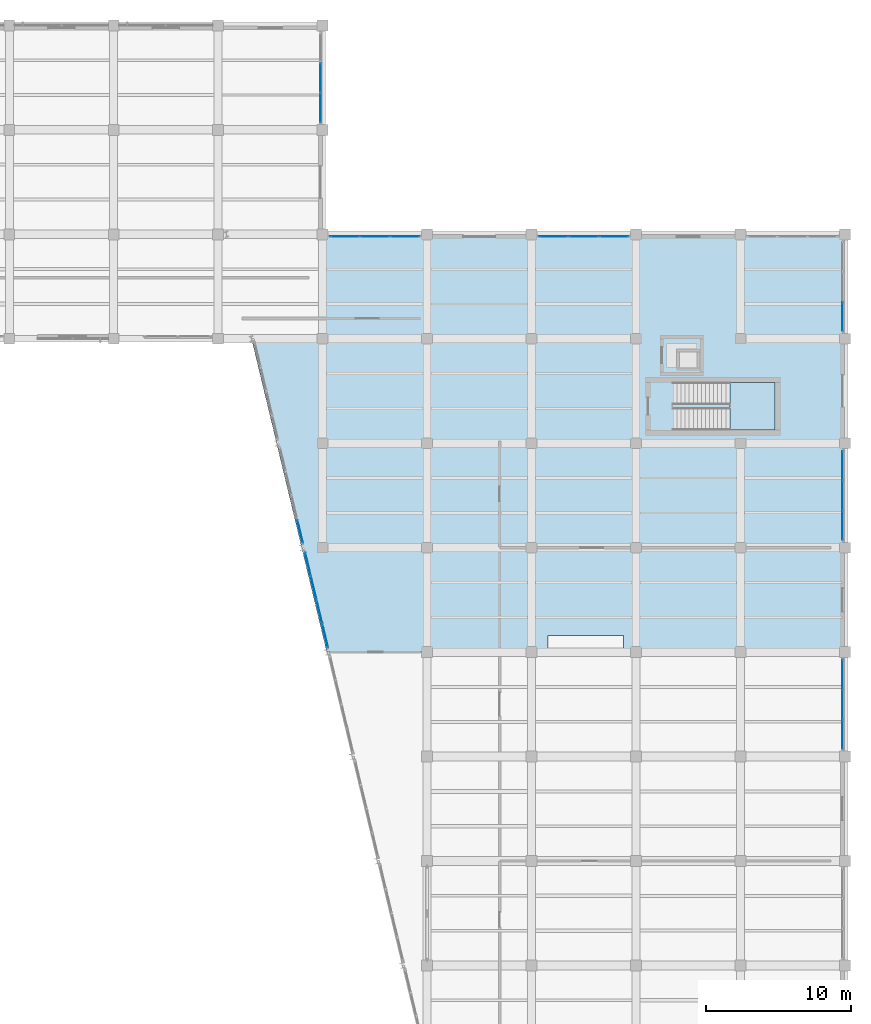
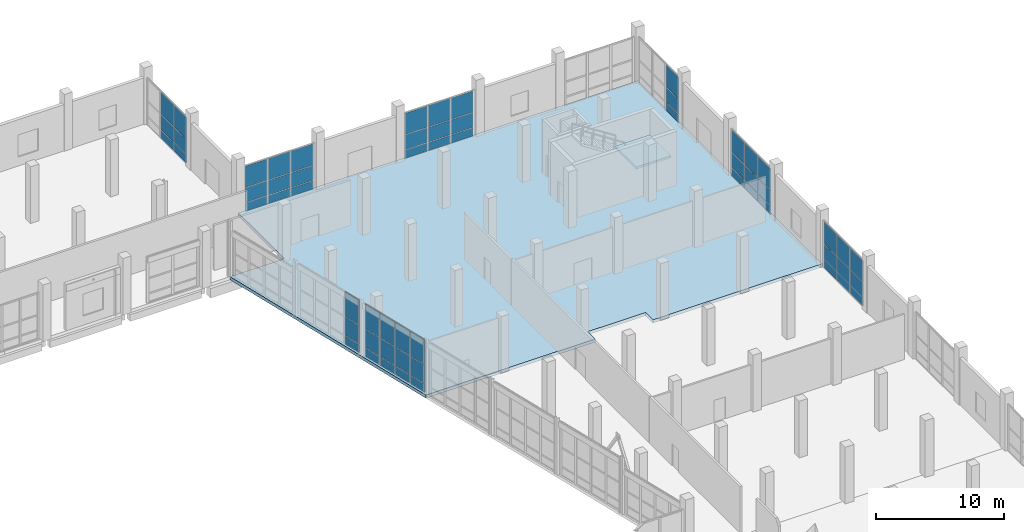
# One storey, part 94 of 137: 60 plates, 2 slabs, 9 elements without a shape of their own.
"""IFC4 building model written with IfcOpenShell, lengths in metres."""

from ifc_helpers import new_model, si_unit, direction, frame, origin, origin_2d, place, context, subcontext, project, spatial, polyline, rectangle, outline, extrude, material, layer, layer_set, type_object, element, aggregate, save


model = new_model("IFC4")

# Units and contexts
model_context = context("Model", 3, precision=1e-05, world=origin(), true_north=direction((0.0, 1.0)))
body_context = subcontext(model_context, "Body", "Model", "MODEL_VIEW")
ifc_project = project(units=[si_unit("LENGTHUNIT", "METRE"), si_unit("AREAUNIT", "SQUARE_METRE"), si_unit("VOLUMEUNIT", "CUBIC_METRE"), si_unit("PLANEANGLEUNIT", "RADIAN"), si_unit("MASSUNIT", "GRAM", prefix="KILO")], contexts=[model_context])

# Site, building, storey
site_placement = place(None, origin())
site = spatial("IfcSite", under=ifc_project, at=site_placement, CompositionType="ELEMENT")
building_placement = place(site_placement, origin())
building = spatial("IfcBuilding", under=site, at=building_placement, Name="Kalmorath City Hall", CompositionType="ELEMENT")
storey_placement = place(building_placement, origin())
storey = spatial("IfcBuildingStorey", under=building, at=storey_placement, Name="L00", CompositionType="ELEMENT", Elevation=0.0)

# Slab
ifc_material_1 = material(Name="Concrete C40/50", Category="concrete")
ifc_layer_1 = layer(ifc_material_1, 0.300048828125)
ifc_layer_set_1 = layer_set([ifc_layer_1], Name="Concrete C40/50")
slab_type_1 = type_object("IfcSlabType", Name="Concrete ground floor slab 300", PredefinedType="FLOOR", material=ifc_layer_set_1)
slab_1_placement = place(storey_placement, frame((0.0, 0.0, -0.300048828125)))
element("IfcSlab", 1, at=slab_1_placement, inside=storey, type_object=slab_type_1, Name="L00 Members Library Pavilion slab FS1-2", PredefinedType="FLOOR", context=body_context, shape_type="SweptSolid", body=[
    extrude(outline(polyline([(129.60009765625, 93.60009765625), (129.60009765625, 100.800048828125), (165.60009765625, 100.800048828125), (165.60009765625, 72.0), (150.3427734375, 72.0), (150.3427734375, 73.14990234375), (145.142822265625, 73.14990234375), (145.142822265625, 72.0), (129.885498046875, 72.0), (124.69970703125, 93.60009765625), (129.60009765625, 93.60009765625)])), origin(), (0.0, 0.0, 1.0), 0.300048828125),
])

# Stair, slab
ifc_material_2 = material(Name="Concrete C40/50", Category="concrete")
stair_type = type_object("IfcStairType", Name="Dogleg concrete exit stair 30R x 180mm W1550", PredefinedType="HALF_TURN_STAIR", material=ifc_material_2)
stair_placement = place(storey_placement, origin())
stair = element("IfcStair", 2, at=stair_placement, inside=storey, type_object=stair_type, Name="L00 Protected exit stair ST-6", PredefinedType="HALF_TURN_STAIR")
ifc_material_3 = material(Name="Concrete C40/50", Category="concrete")
ifc_layer_2 = layer(ifc_material_3, 0.199951171875)
ifc_layer_set_2 = layer_set([ifc_layer_2], Name="Concrete C40/50")
slab_type_2 = type_object("IfcSlabType", Name="Concrete stair half-landing slab 200", PredefinedType="LANDING", material=ifc_layer_set_2)
slab_2_placement = place(storey_placement, frame((0.0, 0.0, 2.5)))
slab_2 = element("IfcSlab", 3, at=slab_2_placement, type_object=slab_type_2, Name="ST-6 landing 1", PredefinedType="LANDING", context=body_context, shape_type="SweptSolid", body=[
    extrude(outline(polyline([(157.669921875, 87.300048828125), (160.800048828125, 87.300048828125), (160.800048828125, 90.60009765625), (157.669921875, 90.60009765625), (157.669921875, 87.300048828125)])), origin(), (0.0, 0.0, 1.0), 0.199951171875),
])
aggregate(stair, [slab_2])

# Curtain wall, plates
ifc_material_4 = material(Name="Anodised aluminium and laminated glass", Category="aluminium")
curtain_wall_type_1 = type_object("IfcCurtainWallType", Name="Unitised hurricane curtain wall 6270x4461 M1850", PredefinedType="NOTDEFINED", material=ifc_material_4)
curtain_wall_1_placement = place(storey_placement, origin())
curtain_wall_1 = element("IfcCurtainWall", 4, at=curtain_wall_1_placement, inside=storey, type_object=curtain_wall_type_1, Name="L00 curtain wall CW-63X45M18 #1", PredefinedType="NOTDEFINED")
ifc_material_5 = material(Name="Hurricane laminated low-E glass", Category="glass")
ifc_layer_3 = layer(ifc_material_5, 0.035888671875)
ifc_layer_set_3 = layer_set([ifc_layer_3], Name="Hurricane laminated low-E glass")
plate_type = type_object("IfcPlateType", Name="Library acoustic low-E glazed panel 36", PredefinedType="CURTAIN_PANEL", material=ifc_layer_set_3)
plate_1_placement = place(storey_placement, frame((129.43994140625, 111.60009765625, 0.06005859375), z_axis=(0.0, 0.0, 1.0), x_axis=(0.0, -1.0, 0.0)))
plate_1 = element("IfcPlate", 5, at=plate_1_placement, type_object=plate_type, Name="CW-63X45M18 panel 2.1", PredefinedType="CURTAIN_PANEL", context=body_context, shape_type="SweptSolid", body=[
    extrude(rectangle(XDim=2.014892578125, YDim=0.035888671875, at=origin_2d()), origin(), (0.0, 0.0, 1.0), 0.760009765625),
])
plate_2_placement = place(storey_placement, frame((129.43994140625, 111.60009765625, 0.8798828125), z_axis=(0.0, 0.0, 1.0), x_axis=(0.0, -1.0, 0.0)))
plate_2 = element("IfcPlate", 6, at=plate_2_placement, type_object=plate_type, Name="CW-63X45M18 panel 2.2", PredefinedType="CURTAIN_PANEL", context=body_context, shape_type="SweptSolid", body=[
    extrude(rectangle(XDim=2.014892578125, YDim=0.035888671875, at=origin_2d()), origin(), (0.0, 0.0, 1.0), 1.409912109375),
])
plate_3_placement = place(storey_placement, frame((129.43994140625, 111.60009765625, 2.35009765625), z_axis=(0.0, 0.0, 1.0), x_axis=(0.0, -1.0, 0.0)))
plate_3 = element("IfcPlate", 7, at=plate_3_placement, type_object=plate_type, Name="CW-63X45M18 panel 2.3", PredefinedType="CURTAIN_PANEL", context=body_context, shape_type="SweptSolid", body=[
    extrude(rectangle(XDim=2.014892578125, YDim=0.035888671875, at=origin_2d()), origin(), (0.0, 0.0, 1.0), 2.051025390625),
])
plate_4_placement = place(storey_placement, frame((129.43994140625, 109.52880859375, 0.06005859375), z_axis=(0.0, 0.0, 1.0), x_axis=(0.0, -1.0, 0.0)))
plate_4 = element("IfcPlate", 8, at=plate_4_placement, type_object=plate_type, Name="CW-63X45M18 panel 3.1", PredefinedType="CURTAIN_PANEL", context=body_context, shape_type="SweptSolid", body=[
    extrude(rectangle(XDim=1.9775390625, YDim=0.035888671875, at=origin_2d()), origin(), (0.0, 0.0, 1.0), 0.760009765625),
])
plate_5_placement = place(storey_placement, frame((129.43994140625, 109.52880859375, 0.8798828125), z_axis=(0.0, 0.0, 1.0), x_axis=(0.0, -1.0, 0.0)))
plate_5 = element("IfcPlate", 9, at=plate_5_placement, type_object=plate_type, Name="CW-63X45M18 panel 3.2", PredefinedType="CURTAIN_PANEL", context=body_context, shape_type="SweptSolid", body=[
    extrude(rectangle(XDim=1.9775390625, YDim=0.035888671875, at=origin_2d()), origin(), (0.0, 0.0, 1.0), 1.409912109375),
])
plate_6_placement = place(storey_placement, frame((129.43994140625, 109.52880859375, 2.35009765625), z_axis=(0.0, 0.0, 1.0), x_axis=(0.0, -1.0, 0.0)))
plate_6 = element("IfcPlate", 10, at=plate_6_placement, type_object=plate_type, Name="CW-63X45M18 panel 3.3", PredefinedType="CURTAIN_PANEL", context=body_context, shape_type="SweptSolid", body=[
    extrude(rectangle(XDim=1.9775390625, YDim=0.035888671875, at=origin_2d()), origin(), (0.0, 0.0, 1.0), 2.051025390625),
])
aggregate(curtain_wall_1, [plate_1, plate_2, plate_3, plate_4, plate_5, plate_6])

ifc_material_6 = material(Name="Anodised aluminium and laminated glass", Category="aluminium")
curtain_wall_type_2 = type_object("IfcCurtainWallType", Name="Unitised hurricane curtain wall 6270x4411 M1850", PredefinedType="NOTDEFINED", material=ifc_material_6)
curtain_wall_2_placement = place(storey_placement, origin())
curtain_wall_2 = element("IfcCurtainWall", 11, at=curtain_wall_2_placement, inside=storey, type_object=curtain_wall_type_2, Name="L00 curtain wall CW-63X44M18 #2", PredefinedType="NOTDEFINED")
plate_7_placement = place(storey_placement, frame((131.128662109375, 100.639892578125, 0.06005859375), z_axis=(0.0, 0.0, 1.0), x_axis=(1.0, 0.0, 0.0)))
plate_7 = element("IfcPlate", 12, at=plate_7_placement, type_object=plate_type, Name="CW-63X44M18 panel 1.1", PredefinedType="CURTAIN_PANEL", context=body_context, shape_type="SweptSolid", body=[
    extrude(rectangle(XDim=1.9775390625, YDim=0.035888671875, at=origin_2d()), origin(), (0.0, 0.0, 1.0), 0.760009765625),
])
plate_8_placement = place(storey_placement, frame((131.128662109375, 100.639892578125, 0.8798828125), z_axis=(0.0, 0.0, 1.0), x_axis=(1.0, 0.0, 0.0)))
plate_8 = element("IfcPlate", 13, at=plate_8_placement, type_object=plate_type, Name="CW-63X44M18 panel 1.2", PredefinedType="CURTAIN_PANEL", context=body_context, shape_type="SweptSolid", body=[
    extrude(rectangle(XDim=1.9775390625, YDim=0.035888671875, at=origin_2d()), origin(), (0.0, 0.0, 1.0), 1.384033203125),
])
plate_9_placement = place(storey_placement, frame((131.128662109375, 100.639892578125, 2.32373046875), z_axis=(0.0, 0.0, 1.0), x_axis=(1.0, 0.0, 0.0)))
plate_9 = element("IfcPlate", 14, at=plate_9_placement, type_object=plate_type, Name="CW-63X44M18 panel 1.3", PredefinedType="CURTAIN_PANEL", context=body_context, shape_type="SweptSolid", body=[
    extrude(rectangle(XDim=1.9775390625, YDim=0.035888671875, at=origin_2d()), origin(), (0.0, 0.0, 1.0), 2.027099609375),
])
plate_10_placement = place(storey_placement, frame((133.199951171875, 100.639892578125, 0.06005859375), z_axis=(0.0, 0.0, 1.0), x_axis=(1.0, 0.0, 0.0)))
plate_10 = element("IfcPlate", 15, at=plate_10_placement, type_object=plate_type, Name="CW-63X44M18 panel 2.1", PredefinedType="CURTAIN_PANEL", context=body_context, shape_type="SweptSolid", body=[
    extrude(rectangle(XDim=2.014892578125, YDim=0.035888671875, at=origin_2d()), origin(), (0.0, 0.0, 1.0), 0.760009765625),
])
plate_11_placement = place(storey_placement, frame((133.199951171875, 100.639892578125, 0.8798828125), z_axis=(0.0, 0.0, 1.0), x_axis=(1.0, 0.0, 0.0)))
plate_11 = element("IfcPlate", 16, at=plate_11_placement, type_object=plate_type, Name="CW-63X44M18 panel 2.2", PredefinedType="CURTAIN_PANEL", context=body_context, shape_type="SweptSolid", body=[
    extrude(rectangle(XDim=2.014892578125, YDim=0.035888671875, at=origin_2d()), origin(), (0.0, 0.0, 1.0), 1.384033203125),
])
plate_12_placement = place(storey_placement, frame((133.199951171875, 100.639892578125, 2.32373046875), z_axis=(0.0, 0.0, 1.0), x_axis=(1.0, 0.0, 0.0)))
plate_12 = element("IfcPlate", 17, at=plate_12_placement, type_object=plate_type, Name="CW-63X44M18 panel 2.3", PredefinedType="CURTAIN_PANEL", context=body_context, shape_type="SweptSolid", body=[
    extrude(rectangle(XDim=2.014892578125, YDim=0.035888671875, at=origin_2d()), origin(), (0.0, 0.0, 1.0), 2.027099609375),
])
plate_13_placement = place(storey_placement, frame((135.271240234375, 100.639892578125, 0.06005859375), z_axis=(0.0, 0.0, 1.0), x_axis=(1.0, 0.0, 0.0)))
plate_13 = element("IfcPlate", 18, at=plate_13_placement, type_object=plate_type, Name="CW-63X44M18 panel 3.1", PredefinedType="CURTAIN_PANEL", context=body_context, shape_type="SweptSolid", body=[
    extrude(rectangle(XDim=1.9775390625, YDim=0.035888671875, at=origin_2d()), origin(), (0.0, 0.0, 1.0), 0.760009765625),
])
plate_14_placement = place(storey_placement, frame((135.271240234375, 100.639892578125, 0.8798828125), z_axis=(0.0, 0.0, 1.0), x_axis=(1.0, 0.0, 0.0)))
plate_14 = element("IfcPlate", 19, at=plate_14_placement, type_object=plate_type, Name="CW-63X44M18 panel 3.2", PredefinedType="CURTAIN_PANEL", context=body_context, shape_type="SweptSolid", body=[
    extrude(rectangle(XDim=1.9775390625, YDim=0.035888671875, at=origin_2d()), origin(), (0.0, 0.0, 1.0), 1.384033203125),
])
plate_15_placement = place(storey_placement, frame((135.271240234375, 100.639892578125, 2.32373046875), z_axis=(0.0, 0.0, 1.0), x_axis=(1.0, 0.0, 0.0)))
plate_15 = element("IfcPlate", 20, at=plate_15_placement, type_object=plate_type, Name="CW-63X44M18 panel 3.3", PredefinedType="CURTAIN_PANEL", context=body_context, shape_type="SweptSolid", body=[
    extrude(rectangle(XDim=1.9775390625, YDim=0.035888671875, at=origin_2d()), origin(), (0.0, 0.0, 1.0), 2.027099609375),
])
aggregate(curtain_wall_2, [plate_7, plate_8, plate_9, plate_10, plate_11, plate_12, plate_13, plate_14, plate_15])

curtain_wall_3_placement = place(storey_placement, origin())
curtain_wall_3 = element("IfcCurtainWall", 21, at=curtain_wall_3_placement, inside=storey, type_object=curtain_wall_type_2, Name="L00 curtain wall CW-63X44M18 #3", PredefinedType="NOTDEFINED")
plate_16_placement = place(storey_placement, frame((145.52880859375, 100.639892578125, 0.06005859375), z_axis=(0.0, 0.0, 1.0), x_axis=(1.0, 0.0, 0.0)))
plate_16 = element("IfcPlate", 22, at=plate_16_placement, type_object=plate_type, Name="CW-63X44M18 panel 1.1", PredefinedType="CURTAIN_PANEL", context=body_context, shape_type="SweptSolid", body=[
    extrude(rectangle(XDim=1.9775390625, YDim=0.035888671875, at=origin_2d()), origin(), (0.0, 0.0, 1.0), 0.760009765625),
])
plate_17_placement = place(storey_placement, frame((145.52880859375, 100.639892578125, 0.8798828125), z_axis=(0.0, 0.0, 1.0), x_axis=(1.0, 0.0, 0.0)))
plate_17 = element("IfcPlate", 23, at=plate_17_placement, type_object=plate_type, Name="CW-63X44M18 panel 1.2", PredefinedType="CURTAIN_PANEL", context=body_context, shape_type="SweptSolid", body=[
    extrude(rectangle(XDim=1.9775390625, YDim=0.035888671875, at=origin_2d()), origin(), (0.0, 0.0, 1.0), 1.384033203125),
])
plate_18_placement = place(storey_placement, frame((145.52880859375, 100.639892578125, 2.32373046875), z_axis=(0.0, 0.0, 1.0), x_axis=(1.0, 0.0, 0.0)))
plate_18 = element("IfcPlate", 24, at=plate_18_placement, type_object=plate_type, Name="CW-63X44M18 panel 1.3", PredefinedType="CURTAIN_PANEL", context=body_context, shape_type="SweptSolid", body=[
    extrude(rectangle(XDim=1.9775390625, YDim=0.035888671875, at=origin_2d()), origin(), (0.0, 0.0, 1.0), 2.027099609375),
])
plate_19_placement = place(storey_placement, frame((147.60009765625, 100.639892578125, 0.06005859375), z_axis=(0.0, 0.0, 1.0), x_axis=(1.0, 0.0, 0.0)))
plate_19 = element("IfcPlate", 25, at=plate_19_placement, type_object=plate_type, Name="CW-63X44M18 panel 2.1", PredefinedType="CURTAIN_PANEL", context=body_context, shape_type="SweptSolid", body=[
    extrude(rectangle(XDim=2.014892578125, YDim=0.035888671875, at=origin_2d()), origin(), (0.0, 0.0, 1.0), 0.760009765625),
])
plate_20_placement = place(storey_placement, frame((147.60009765625, 100.639892578125, 0.8798828125), z_axis=(0.0, 0.0, 1.0), x_axis=(1.0, 0.0, 0.0)))
plate_20 = element("IfcPlate", 26, at=plate_20_placement, type_object=plate_type, Name="CW-63X44M18 panel 2.2", PredefinedType="CURTAIN_PANEL", context=body_context, shape_type="SweptSolid", body=[
    extrude(rectangle(XDim=2.014892578125, YDim=0.035888671875, at=origin_2d()), origin(), (0.0, 0.0, 1.0), 1.384033203125),
])
plate_21_placement = place(storey_placement, frame((147.60009765625, 100.639892578125, 2.32373046875), z_axis=(0.0, 0.0, 1.0), x_axis=(1.0, 0.0, 0.0)))
plate_21 = element("IfcPlate", 27, at=plate_21_placement, type_object=plate_type, Name="CW-63X44M18 panel 2.3", PredefinedType="CURTAIN_PANEL", context=body_context, shape_type="SweptSolid", body=[
    extrude(rectangle(XDim=2.014892578125, YDim=0.035888671875, at=origin_2d()), origin(), (0.0, 0.0, 1.0), 2.027099609375),
])
plate_22_placement = place(storey_placement, frame((149.671142578125, 100.639892578125, 0.06005859375), z_axis=(0.0, 0.0, 1.0), x_axis=(1.0, 0.0, 0.0)))
plate_22 = element("IfcPlate", 28, at=plate_22_placement, type_object=plate_type, Name="CW-63X44M18 panel 3.1", PredefinedType="CURTAIN_PANEL", context=body_context, shape_type="SweptSolid", body=[
    extrude(rectangle(XDim=1.9775390625, YDim=0.035888671875, at=origin_2d()), origin(), (0.0, 0.0, 1.0), 0.760009765625),
])
plate_23_placement = place(storey_placement, frame((149.671142578125, 100.639892578125, 0.8798828125), z_axis=(0.0, 0.0, 1.0), x_axis=(1.0, 0.0, 0.0)))
plate_23 = element("IfcPlate", 29, at=plate_23_placement, type_object=plate_type, Name="CW-63X44M18 panel 3.2", PredefinedType="CURTAIN_PANEL", context=body_context, shape_type="SweptSolid", body=[
    extrude(rectangle(XDim=1.9775390625, YDim=0.035888671875, at=origin_2d()), origin(), (0.0, 0.0, 1.0), 1.384033203125),
])
plate_24_placement = place(storey_placement, frame((149.671142578125, 100.639892578125, 2.32373046875), z_axis=(0.0, 0.0, 1.0), x_axis=(1.0, 0.0, 0.0)))
plate_24 = element("IfcPlate", 30, at=plate_24_placement, type_object=plate_type, Name="CW-63X44M18 panel 3.3", PredefinedType="CURTAIN_PANEL", context=body_context, shape_type="SweptSolid", body=[
    extrude(rectangle(XDim=1.9775390625, YDim=0.035888671875, at=origin_2d()), origin(), (0.0, 0.0, 1.0), 2.027099609375),
])
aggregate(curtain_wall_3, [plate_16, plate_17, plate_18, plate_19, plate_20, plate_21, plate_22, plate_23, plate_24])

curtain_wall_4_placement = place(storey_placement, origin())
curtain_wall_4 = element("IfcCurtainWall", 31, at=curtain_wall_4_placement, inside=storey, type_object=curtain_wall_type_1, Name="L00 curtain wall CW-63X45M18 #5", PredefinedType="NOTDEFINED")
plate_25_placement = place(storey_placement, frame((165.43994140625, 95.128662109375, 0.06005859375), z_axis=(0.0, 0.0, 1.0), x_axis=(0.0, -1.0, 0.0)))
plate_25 = element("IfcPlate", 32, at=plate_25_placement, type_object=plate_type, Name="CW-63X45M18 panel 3.1", PredefinedType="CURTAIN_PANEL", context=body_context, shape_type="SweptSolid", body=[
    extrude(rectangle(XDim=1.9775390625, YDim=0.035888671875, at=origin_2d()), origin(), (0.0, 0.0, 1.0), 0.760009765625),
])
plate_26_placement = place(storey_placement, frame((165.43994140625, 95.128662109375, 0.8798828125), z_axis=(0.0, 0.0, 1.0), x_axis=(0.0, -1.0, 0.0)))
plate_26 = element("IfcPlate", 33, at=plate_26_placement, type_object=plate_type, Name="CW-63X45M18 panel 3.2", PredefinedType="CURTAIN_PANEL", context=body_context, shape_type="SweptSolid", body=[
    extrude(rectangle(XDim=1.9775390625, YDim=0.035888671875, at=origin_2d()), origin(), (0.0, 0.0, 1.0), 1.409912109375),
])
plate_27_placement = place(storey_placement, frame((165.43994140625, 95.128662109375, 2.35009765625), z_axis=(0.0, 0.0, 1.0), x_axis=(0.0, -1.0, 0.0)))
plate_27 = element("IfcPlate", 34, at=plate_27_placement, type_object=plate_type, Name="CW-63X45M18 panel 3.3", PredefinedType="CURTAIN_PANEL", context=body_context, shape_type="SweptSolid", body=[
    extrude(rectangle(XDim=1.9775390625, YDim=0.035888671875, at=origin_2d()), origin(), (0.0, 0.0, 1.0), 2.051025390625),
])
aggregate(curtain_wall_4, [plate_25, plate_26, plate_27])

curtain_wall_5_placement = place(storey_placement, origin())
curtain_wall_5 = element("IfcCurtainWall", 35, at=curtain_wall_5_placement, inside=storey, type_object=curtain_wall_type_1, Name="L00 curtain wall CW-63X45M18 #6", PredefinedType="NOTDEFINED")
plate_28_placement = place(storey_placement, frame((165.43994140625, 84.871337890625, 0.06005859375), z_axis=(0.0, 0.0, 1.0), x_axis=(0.0, -1.0, 0.0)))
plate_28 = element("IfcPlate", 36, at=plate_28_placement, type_object=plate_type, Name="CW-63X45M18 panel 1.1", PredefinedType="CURTAIN_PANEL", context=body_context, shape_type="SweptSolid", body=[
    extrude(rectangle(XDim=1.9775390625, YDim=0.035888671875, at=origin_2d()), origin(), (0.0, 0.0, 1.0), 0.760009765625),
])
plate_29_placement = place(storey_placement, frame((165.43994140625, 84.871337890625, 0.8798828125), z_axis=(0.0, 0.0, 1.0), x_axis=(0.0, -1.0, 0.0)))
plate_29 = element("IfcPlate", 37, at=plate_29_placement, type_object=plate_type, Name="CW-63X45M18 panel 1.2", PredefinedType="CURTAIN_PANEL", context=body_context, shape_type="SweptSolid", body=[
    extrude(rectangle(XDim=1.9775390625, YDim=0.035888671875, at=origin_2d()), origin(), (0.0, 0.0, 1.0), 1.409912109375),
])
plate_30_placement = place(storey_placement, frame((165.43994140625, 84.871337890625, 2.35009765625), z_axis=(0.0, 0.0, 1.0), x_axis=(0.0, -1.0, 0.0)))
plate_30 = element("IfcPlate", 38, at=plate_30_placement, type_object=plate_type, Name="CW-63X45M18 panel 1.3", PredefinedType="CURTAIN_PANEL", context=body_context, shape_type="SweptSolid", body=[
    extrude(rectangle(XDim=1.9775390625, YDim=0.035888671875, at=origin_2d()), origin(), (0.0, 0.0, 1.0), 2.051025390625),
])
plate_31_placement = place(storey_placement, frame((165.43994140625, 82.800048828125, 0.06005859375), z_axis=(0.0, 0.0, 1.0), x_axis=(0.0, -1.0, 0.0)))
plate_31 = element("IfcPlate", 39, at=plate_31_placement, type_object=plate_type, Name="CW-63X45M18 panel 2.1", PredefinedType="CURTAIN_PANEL", context=body_context, shape_type="SweptSolid", body=[
    extrude(rectangle(XDim=2.014892578125, YDim=0.035888671875, at=origin_2d()), origin(), (0.0, 0.0, 1.0), 0.760009765625),
])
plate_32_placement = place(storey_placement, frame((165.43994140625, 82.800048828125, 0.8798828125), z_axis=(0.0, 0.0, 1.0), x_axis=(0.0, -1.0, 0.0)))
plate_32 = element("IfcPlate", 40, at=plate_32_placement, type_object=plate_type, Name="CW-63X45M18 panel 2.2", PredefinedType="CURTAIN_PANEL", context=body_context, shape_type="SweptSolid", body=[
    extrude(rectangle(XDim=2.014892578125, YDim=0.035888671875, at=origin_2d()), origin(), (0.0, 0.0, 1.0), 1.409912109375),
])
plate_33_placement = place(storey_placement, frame((165.43994140625, 82.800048828125, 2.35009765625), z_axis=(0.0, 0.0, 1.0), x_axis=(0.0, -1.0, 0.0)))
plate_33 = element("IfcPlate", 41, at=plate_33_placement, type_object=plate_type, Name="CW-63X45M18 panel 2.3", PredefinedType="CURTAIN_PANEL", context=body_context, shape_type="SweptSolid", body=[
    extrude(rectangle(XDim=2.014892578125, YDim=0.035888671875, at=origin_2d()), origin(), (0.0, 0.0, 1.0), 2.051025390625),
])
plate_34_placement = place(storey_placement, frame((165.43994140625, 80.728759765625, 0.06005859375), z_axis=(0.0, 0.0, 1.0), x_axis=(0.0, -1.0, 0.0)))
plate_34 = element("IfcPlate", 42, at=plate_34_placement, type_object=plate_type, Name="CW-63X45M18 panel 3.1", PredefinedType="CURTAIN_PANEL", context=body_context, shape_type="SweptSolid", body=[
    extrude(rectangle(XDim=1.9775390625, YDim=0.035888671875, at=origin_2d()), origin(), (0.0, 0.0, 1.0), 0.760009765625),
])
plate_35_placement = place(storey_placement, frame((165.43994140625, 80.728759765625, 0.8798828125), z_axis=(0.0, 0.0, 1.0), x_axis=(0.0, -1.0, 0.0)))
plate_35 = element("IfcPlate", 43, at=plate_35_placement, type_object=plate_type, Name="CW-63X45M18 panel 3.2", PredefinedType="CURTAIN_PANEL", context=body_context, shape_type="SweptSolid", body=[
    extrude(rectangle(XDim=1.9775390625, YDim=0.035888671875, at=origin_2d()), origin(), (0.0, 0.0, 1.0), 1.409912109375),
])
plate_36_placement = place(storey_placement, frame((165.43994140625, 80.728759765625, 2.35009765625), z_axis=(0.0, 0.0, 1.0), x_axis=(0.0, -1.0, 0.0)))
plate_36 = element("IfcPlate", 44, at=plate_36_placement, type_object=plate_type, Name="CW-63X45M18 panel 3.3", PredefinedType="CURTAIN_PANEL", context=body_context, shape_type="SweptSolid", body=[
    extrude(rectangle(XDim=1.9775390625, YDim=0.035888671875, at=origin_2d()), origin(), (0.0, 0.0, 1.0), 2.051025390625),
])
aggregate(curtain_wall_5, [plate_28, plate_29, plate_30, plate_31, plate_32, plate_33, plate_34, plate_35, plate_36])

curtain_wall_6_placement = place(storey_placement, origin())
curtain_wall_6 = element("IfcCurtainWall", 45, at=curtain_wall_6_placement, inside=storey, type_object=curtain_wall_type_1, Name="L00 curtain wall CW-63X45M18 #7", PredefinedType="NOTDEFINED")
plate_37_placement = place(storey_placement, frame((165.43994140625, 70.47119140625, 0.06005859375), z_axis=(0.0, 0.0, 1.0), x_axis=(0.0, -1.0, 0.0)))
plate_37 = element("IfcPlate", 46, at=plate_37_placement, type_object=plate_type, Name="CW-63X45M18 panel 1.1", PredefinedType="CURTAIN_PANEL", context=body_context, shape_type="SweptSolid", body=[
    extrude(rectangle(XDim=1.9775390625, YDim=0.035888671875, at=origin_2d()), origin(), (0.0, 0.0, 1.0), 0.760009765625),
])
plate_38_placement = place(storey_placement, frame((165.43994140625, 70.47119140625, 0.8798828125), z_axis=(0.0, 0.0, 1.0), x_axis=(0.0, -1.0, 0.0)))
plate_38 = element("IfcPlate", 47, at=plate_38_placement, type_object=plate_type, Name="CW-63X45M18 panel 1.2", PredefinedType="CURTAIN_PANEL", context=body_context, shape_type="SweptSolid", body=[
    extrude(rectangle(XDim=1.9775390625, YDim=0.035888671875, at=origin_2d()), origin(), (0.0, 0.0, 1.0), 1.409912109375),
])
plate_39_placement = place(storey_placement, frame((165.43994140625, 70.47119140625, 2.35009765625), z_axis=(0.0, 0.0, 1.0), x_axis=(0.0, -1.0, 0.0)))
plate_39 = element("IfcPlate", 48, at=plate_39_placement, type_object=plate_type, Name="CW-63X45M18 panel 1.3", PredefinedType="CURTAIN_PANEL", context=body_context, shape_type="SweptSolid", body=[
    extrude(rectangle(XDim=1.9775390625, YDim=0.035888671875, at=origin_2d()), origin(), (0.0, 0.0, 1.0), 2.051025390625),
])
plate_40_placement = place(storey_placement, frame((165.43994140625, 68.39990234375, 0.06005859375), z_axis=(0.0, 0.0, 1.0), x_axis=(0.0, -1.0, 0.0)))
plate_40 = element("IfcPlate", 49, at=plate_40_placement, type_object=plate_type, Name="CW-63X45M18 panel 2.1", PredefinedType="CURTAIN_PANEL", context=body_context, shape_type="SweptSolid", body=[
    extrude(rectangle(XDim=2.014892578125, YDim=0.035888671875, at=origin_2d()), origin(), (0.0, 0.0, 1.0), 0.760009765625),
])
plate_41_placement = place(storey_placement, frame((165.43994140625, 68.39990234375, 0.8798828125), z_axis=(0.0, 0.0, 1.0), x_axis=(0.0, -1.0, 0.0)))
plate_41 = element("IfcPlate", 50, at=plate_41_placement, type_object=plate_type, Name="CW-63X45M18 panel 2.2", PredefinedType="CURTAIN_PANEL", context=body_context, shape_type="SweptSolid", body=[
    extrude(rectangle(XDim=2.014892578125, YDim=0.035888671875, at=origin_2d()), origin(), (0.0, 0.0, 1.0), 1.409912109375),
])
plate_42_placement = place(storey_placement, frame((165.43994140625, 68.39990234375, 2.35009765625), z_axis=(0.0, 0.0, 1.0), x_axis=(0.0, -1.0, 0.0)))
plate_42 = element("IfcPlate", 51, at=plate_42_placement, type_object=plate_type, Name="CW-63X45M18 panel 2.3", PredefinedType="CURTAIN_PANEL", context=body_context, shape_type="SweptSolid", body=[
    extrude(rectangle(XDim=2.014892578125, YDim=0.035888671875, at=origin_2d()), origin(), (0.0, 0.0, 1.0), 2.051025390625),
])
plate_43_placement = place(storey_placement, frame((165.43994140625, 66.328857421875, 0.06005859375), z_axis=(0.0, 0.0, 1.0), x_axis=(0.0, -1.0, 0.0)))
plate_43 = element("IfcPlate", 52, at=plate_43_placement, type_object=plate_type, Name="CW-63X45M18 panel 3.1", PredefinedType="CURTAIN_PANEL", context=body_context, shape_type="SweptSolid", body=[
    extrude(rectangle(XDim=1.9775390625, YDim=0.035888671875, at=origin_2d()), origin(), (0.0, 0.0, 1.0), 0.760009765625),
])
plate_44_placement = place(storey_placement, frame((165.43994140625, 66.328857421875, 0.8798828125), z_axis=(0.0, 0.0, 1.0), x_axis=(0.0, -1.0, 0.0)))
plate_44 = element("IfcPlate", 53, at=plate_44_placement, type_object=plate_type, Name="CW-63X45M18 panel 3.2", PredefinedType="CURTAIN_PANEL", context=body_context, shape_type="SweptSolid", body=[
    extrude(rectangle(XDim=1.9775390625, YDim=0.035888671875, at=origin_2d()), origin(), (0.0, 0.0, 1.0), 1.409912109375),
])
plate_45_placement = place(storey_placement, frame((165.43994140625, 66.328857421875, 2.35009765625), z_axis=(0.0, 0.0, 1.0), x_axis=(0.0, -1.0, 0.0)))
plate_45 = element("IfcPlate", 54, at=plate_45_placement, type_object=plate_type, Name="CW-63X45M18 panel 3.3", PredefinedType="CURTAIN_PANEL", context=body_context, shape_type="SweptSolid", body=[
    extrude(rectangle(XDim=1.9775390625, YDim=0.035888671875, at=origin_2d()), origin(), (0.0, 0.0, 1.0), 2.051025390625),
])
aggregate(curtain_wall_6, [plate_37, plate_38, plate_39, plate_40, plate_41, plate_42, plate_43, plate_44, plate_45])

ifc_material_7 = material(Name="Anodised aluminium and laminated glass", Category="aluminium")
curtain_wall_type_3 = type_object("IfcCurtainWallType", Name="Unitised hurricane curtain wall 6849x5120 M1850", PredefinedType="NOTDEFINED", material=ifc_material_7)
curtain_wall_7_placement = place(storey_placement, origin())
curtain_wall_7 = element("IfcCurtainWall", 55, at=curtain_wall_7_placement, inside=storey, type_object=curtain_wall_type_3, Name="L00 curtain wall CW-68X51M18 #45", PredefinedType="NOTDEFINED")
plate_46_placement = place(storey_placement, frame((129.781005859375, 73.120849609375, 0.06005859375), z_axis=(0.0, 0.0, 1.0), x_axis=(-0.233455781305, 0.97236741933, 0.0)))
plate_46 = element("IfcPlate", 56, at=plate_46_placement, type_object=plate_type, Name="CW-68X51M18 panel 1.1", PredefinedType="CURTAIN_PANEL", context=body_context, shape_type="SweptSolid", body=[
    extrude(rectangle(XDim=1.599853515625, YDim=0.035888671875, at=origin_2d()), origin(), (0.0, 0.0, 1.0), 0.760009765625),
])
plate_47_placement = place(storey_placement, frame((129.781005859375, 73.120849609375, 0.880126953125), z_axis=(0.0, 0.0, 1.0), x_axis=(-0.233455781305, 0.97236741933, 0.0)))
plate_47 = element("IfcPlate", 57, at=plate_47_placement, type_object=plate_type, Name="CW-68X51M18 panel 1.2", PredefinedType="CURTAIN_PANEL", context=body_context, shape_type="SweptSolid", body=[
    extrude(rectangle(XDim=1.599853515625, YDim=0.035888671875, at=origin_2d()), origin(), (0.0, 0.0, 1.0), 1.751953125),
])
plate_48_placement = place(storey_placement, frame((129.781005859375, 73.120849609375, 2.69189453125), z_axis=(0.0, 0.0, 1.0), x_axis=(-0.233455781305, 0.97236741933, 0.0)))
plate_48 = element("IfcPlate", 58, at=plate_48_placement, type_object=plate_type, Name="CW-68X51M18 panel 1.3", PredefinedType="CURTAIN_PANEL", context=body_context, shape_type="SweptSolid", body=[
    extrude(rectangle(XDim=1.599853515625, YDim=0.035888671875, at=origin_2d()), origin(), (0.0, 0.0, 1.0), 2.367919921875),
])
plate_49_placement = place(storey_placement, frame((129.385498046875, 74.767578125, 0.06005859375), z_axis=(0.0, 0.0, 1.0), x_axis=(-0.233455781305, 0.97236741933, 0.0)))
plate_49 = element("IfcPlate", 59, at=plate_49_placement, type_object=plate_type, Name="CW-68X51M18 panel 2.1", PredefinedType="CURTAIN_PANEL", context=body_context, shape_type="SweptSolid", body=[
    extrude(rectangle(XDim=1.63720703125, YDim=0.035888671875, at=origin_2d()), origin(), (0.0, 0.0, 1.0), 0.760009765625),
])
plate_50_placement = place(storey_placement, frame((129.385498046875, 74.767578125, 0.880126953125), z_axis=(0.0, 0.0, 1.0), x_axis=(-0.233455781305, 0.97236741933, 0.0)))
plate_50 = element("IfcPlate", 60, at=plate_50_placement, type_object=plate_type, Name="CW-68X51M18 panel 2.2", PredefinedType="CURTAIN_PANEL", context=body_context, shape_type="SweptSolid", body=[
    extrude(rectangle(XDim=1.63720703125, YDim=0.035888671875, at=origin_2d()), origin(), (0.0, 0.0, 1.0), 1.751953125),
])
plate_51_placement = place(storey_placement, frame((129.385498046875, 74.767578125, 2.69189453125), z_axis=(0.0, 0.0, 1.0), x_axis=(-0.233455781305, 0.97236741933, 0.0)))
plate_51 = element("IfcPlate", 61, at=plate_51_placement, type_object=plate_type, Name="CW-68X51M18 panel 2.3", PredefinedType="CURTAIN_PANEL", context=body_context, shape_type="SweptSolid", body=[
    extrude(rectangle(XDim=1.63720703125, YDim=0.035888671875, at=origin_2d()), origin(), (0.0, 0.0, 1.0), 2.367919921875),
])
plate_52_placement = place(storey_placement, frame((128.98583984375, 76.4326171875, 0.06005859375), z_axis=(0.0, 0.0, 1.0), x_axis=(-0.233455781305, 0.97236741933, 0.0)))
plate_52 = element("IfcPlate", 62, at=plate_52_placement, type_object=plate_type, Name="CW-68X51M18 panel 3.1", PredefinedType="CURTAIN_PANEL", context=body_context, shape_type="SweptSolid", body=[
    extrude(rectangle(XDim=1.63720703125, YDim=0.035888671875, at=origin_2d()), origin(), (0.0, 0.0, 1.0), 0.760009765625),
])
plate_53_placement = place(storey_placement, frame((128.98583984375, 76.4326171875, 0.880126953125), z_axis=(0.0, 0.0, 1.0), x_axis=(-0.233455781305, 0.97236741933, 0.0)))
plate_53 = element("IfcPlate", 63, at=plate_53_placement, type_object=plate_type, Name="CW-68X51M18 panel 3.2", PredefinedType="CURTAIN_PANEL", context=body_context, shape_type="SweptSolid", body=[
    extrude(rectangle(XDim=1.63720703125, YDim=0.035888671875, at=origin_2d()), origin(), (0.0, 0.0, 1.0), 1.751953125),
])
plate_54_placement = place(storey_placement, frame((128.98583984375, 76.4326171875, 2.69189453125), z_axis=(0.0, 0.0, 1.0), x_axis=(-0.233455781305, 0.97236741933, 0.0)))
plate_54 = element("IfcPlate", 64, at=plate_54_placement, type_object=plate_type, Name="CW-68X51M18 panel 3.3", PredefinedType="CURTAIN_PANEL", context=body_context, shape_type="SweptSolid", body=[
    extrude(rectangle(XDim=1.63720703125, YDim=0.035888671875, at=origin_2d()), origin(), (0.0, 0.0, 1.0), 2.367919921875),
])
plate_55_placement = place(storey_placement, frame((128.59033203125, 78.079345703125, 0.06005859375), z_axis=(0.0, 0.0, 1.0), x_axis=(-0.233455781305, 0.97236741933, 0.0)))
plate_55 = element("IfcPlate", 65, at=plate_55_placement, type_object=plate_type, Name="CW-68X51M18 panel 4.1", PredefinedType="CURTAIN_PANEL", context=body_context, shape_type="SweptSolid", body=[
    extrude(rectangle(XDim=1.599853515625, YDim=0.035888671875, at=origin_2d()), origin(), (0.0, 0.0, 1.0), 0.760009765625),
])
plate_56_placement = place(storey_placement, frame((128.59033203125, 78.079345703125, 0.880126953125), z_axis=(0.0, 0.0, 1.0), x_axis=(-0.233455781305, 0.97236741933, 0.0)))
plate_56 = element("IfcPlate", 66, at=plate_56_placement, type_object=plate_type, Name="CW-68X51M18 panel 4.2", PredefinedType="CURTAIN_PANEL", context=body_context, shape_type="SweptSolid", body=[
    extrude(rectangle(XDim=1.599853515625, YDim=0.035888671875, at=origin_2d()), origin(), (0.0, 0.0, 1.0), 1.751953125),
])
plate_57_placement = place(storey_placement, frame((128.59033203125, 78.079345703125, 2.69189453125), z_axis=(0.0, 0.0, 1.0), x_axis=(-0.233455781305, 0.97236741933, 0.0)))
plate_57 = element("IfcPlate", 67, at=plate_57_placement, type_object=plate_type, Name="CW-68X51M18 panel 4.3", PredefinedType="CURTAIN_PANEL", context=body_context, shape_type="SweptSolid", body=[
    extrude(rectangle(XDim=1.599853515625, YDim=0.035888671875, at=origin_2d()), origin(), (0.0, 0.0, 1.0), 2.367919921875),
])
aggregate(curtain_wall_7, [plate_46, plate_47, plate_48, plate_49, plate_50, plate_51, plate_52, plate_53, plate_54, plate_55, plate_56, plate_57])

curtain_wall_8_placement = place(storey_placement, origin())
curtain_wall_8 = element("IfcCurtainWall", 68, at=curtain_wall_8_placement, inside=storey, type_object=curtain_wall_type_3, Name="L00 curtain wall CW-68X51M18 #46", PredefinedType="NOTDEFINED")
plate_58_placement = place(storey_placement, frame((128.05224609375, 80.32080078125, 0.06005859375), z_axis=(0.0, 0.0, 1.0), x_axis=(-0.233455781305, 0.97236741933, 0.0)))
plate_58 = element("IfcPlate", 69, at=plate_58_placement, type_object=plate_type, Name="CW-68X51M18 panel 1.1", PredefinedType="CURTAIN_PANEL", context=body_context, shape_type="SweptSolid", body=[
    extrude(rectangle(XDim=1.599853515625, YDim=0.035888671875, at=origin_2d()), origin(), (0.0, 0.0, 1.0), 0.760009765625),
])
plate_59_placement = place(storey_placement, frame((128.05224609375, 80.32080078125, 0.880126953125), z_axis=(0.0, 0.0, 1.0), x_axis=(-0.233455781305, 0.97236741933, 0.0)))
plate_59 = element("IfcPlate", 70, at=plate_59_placement, type_object=plate_type, Name="CW-68X51M18 panel 1.2", PredefinedType="CURTAIN_PANEL", context=body_context, shape_type="SweptSolid", body=[
    extrude(rectangle(XDim=1.599853515625, YDim=0.035888671875, at=origin_2d()), origin(), (0.0, 0.0, 1.0), 1.751953125),
])
plate_60_placement = place(storey_placement, frame((128.05224609375, 80.32080078125, 2.69189453125), z_axis=(0.0, 0.0, 1.0), x_axis=(-0.233455781305, 0.97236741933, 0.0)))
plate_60 = element("IfcPlate", 71, at=plate_60_placement, type_object=plate_type, Name="CW-68X51M18 panel 1.3", PredefinedType="CURTAIN_PANEL", context=body_context, shape_type="SweptSolid", body=[
    extrude(rectangle(XDim=1.599853515625, YDim=0.035888671875, at=origin_2d()), origin(), (0.0, 0.0, 1.0), 2.367919921875),
])
aggregate(curtain_wall_8, [plate_58, plate_59, plate_60])

save(model, "model.ifc")
